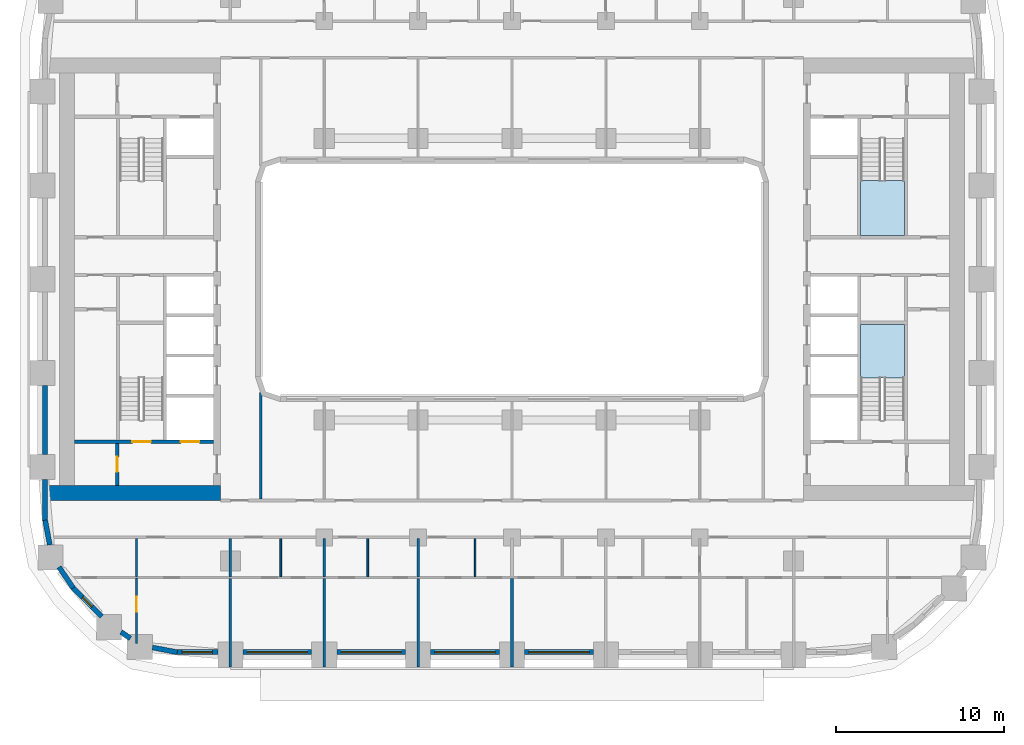
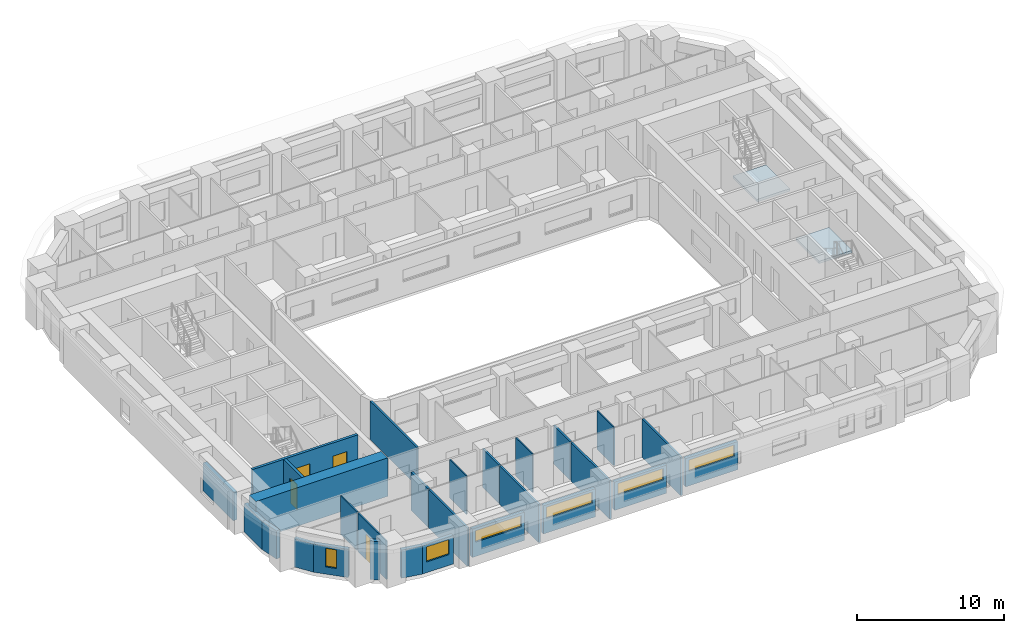
# One storey, part 2 of 20: 28 walls, 6 windows, 4 doors, 2 slabs, 10 openings, 2 elements without a shape of their own.
"""IFC4 building model written with IfcOpenShell, lengths in metres."""

import ifcopenshell
import ifcopenshell.guid

model = None  # the IFC model being written
_history = None  # IfcOwnerHistory: only IFC2X3 demands one
_inside = {}  # id of a spatial element -> (the spatial element, [elements in it])
_under = {}  # id of a project, library or spatial element -> (it, [spatial elements below it])
_declared = {}  # id of a project -> (the project, [libraries it declares])
_typed = {}  # id of a type object -> (the type object, [elements of that type])
_made_of = {}  # id of a material, layer set ... -> (it, [elements and type objects made of it])


def new_model(schema):
    """Start an empty IFC model of exactly this schema.

    Asked for "IFC4X3", IfcOpenShell would pick the latest addendum, in which some entities
    have other attributes; the version numbers below select the first issue.
    IFC2X3 requires an IfcOwnerHistory on every rooted entity: one is made here for all.
    """
    global model, _history
    if schema == "IFC4X3":
        model = ifcopenshell.file(schema_version=(4, 3, 0, 0))
    else:
        model = ifcopenshell.file(schema=schema)
    _inside.clear()
    _under.clear()
    _declared.clear()
    _typed.clear()
    _made_of.clear()
    _history = None
    if model.schema == "IFC2X3":
        org = make("IfcOrganization", Name="unknown")
        user = make(
            "IfcPersonAndOrganization",
            ThePerson=make("IfcPerson", FamilyName="unknown"),
            TheOrganization=org,
        )
        app = make(
            "IfcApplication",
            ApplicationDeveloper=org,
            Version="unknown",
            ApplicationFullName="unknown",
            ApplicationIdentifier="unknown",
        )
        _history = make(
            "IfcOwnerHistory",
            OwningUser=user,
            OwningApplication=app,
            ChangeAction="ADDED",
            CreationDate=0,
        )
    return model


def make(cls, **values):
    """One entity of the class cls with the attributes given. An attribute that is None is left unset."""
    return model.create_entity(
        cls, **{name: value for name, value in values.items() if value is not None}
    )


def rooted(cls, **values):
    """An entity with a GlobalId (a new one), such as an element, a storey or a relation."""
    return make(cls, GlobalId=ifcopenshell.guid.new(), OwnerHistory=_history, **values)


def si_unit(unit_type, name, prefix=None):
    """IfcSIUnit, for example si_unit("LENGTHUNIT", "METRE", prefix="MILLI")."""
    return make("IfcSIUnit", UnitType=unit_type, Prefix=prefix, Name=name)


def assignment(units):
    """IfcUnitAssignment: the units of a project."""
    return None if units is None else make("IfcUnitAssignment", Units=units)


def point(xyz):
    """IfcCartesianPoint."""
    return None if xyz is None else make("IfcCartesianPoint", Coordinates=xyz)


def direction(xyz):
    """IfcDirection."""
    return None if xyz is None else make("IfcDirection", DirectionRatios=xyz)


def frame(location, z_axis=None, x_axis=None):
    """IfcAxis2Placement3D, a coordinate frame: its origin and axes. An axis left out is left unset."""
    return make(
        "IfcAxis2Placement3D",
        Location=point(location),
        Axis=direction(z_axis),
        RefDirection=direction(x_axis),
    )


def frame_2d(location, x_axis=None):
    """IfcAxis2Placement2D, a coordinate frame in the plane: its origin and x axis."""
    return make(
        "IfcAxis2Placement2D", Location=point(location), RefDirection=direction(x_axis)
    )


def origin():
    """The frame at (0, 0, 0) with its axes left unset."""
    return frame((0.0, 0.0, 0.0))


def place(relative_to, where):
    """IfcLocalPlacement: puts the frame where relative to a parent placement (None: the world)."""
    return make(
        "IfcLocalPlacement", PlacementRelTo=relative_to, RelativePlacement=where
    )


def context(
    kind, dimensions, precision=None, world=None, true_north=None, identifier=None
):
    """IfcGeometricRepresentationContext, for example the 3D "Model" context."""
    return make(
        "IfcGeometricRepresentationContext",
        ContextIdentifier=identifier,
        ContextType=kind,
        CoordinateSpaceDimension=dimensions,
        Precision=precision,
        WorldCoordinateSystem=world,
        TrueNorth=true_north,
    )


def subcontext(parent, identifier, kind, view, scale=None):
    """IfcGeometricRepresentationSubContext, for example "Body" below "Model"."""
    return make(
        "IfcGeometricRepresentationSubContext",
        ContextIdentifier=identifier,
        ContextType=kind,
        ParentContext=parent,
        TargetScale=scale,
        TargetView=view,
    )


def project(units=None, contexts=None):
    """IfcProject with its units and contexts."""
    return rooted(
        "IfcProject",
        Name="project",
        RepresentationContexts=contexts,
        UnitsInContext=assignment(units),
    )


def spatial(cls, under=None, at=None, **own):
    """A site, building, storey or space (cls), placed at a placement, below another one or the project."""
    s = rooted(cls, ObjectPlacement=at, **own)
    if under is not None:
        _under.setdefault(under.id(), (under, []))[1].append(s)
    return s


def polyline(points):
    """IfcPolyline through the points."""
    return make("IfcPolyline", Points=[point(p) for p in points])


def profile(cls, at=None, kind="AREA", **sizes):
    """A parametric profile (cls). Its sizes go by their IFC names, for example OverallWidth=200.0."""
    return make(cls, ProfileType=kind, Position=at, **sizes)


def rectangle(**sizes):
    """IfcRectangleProfileDef."""
    return profile("IfcRectangleProfileDef", **sizes)


def outline(outer, holes=None, kind="AREA"):
    """IfcArbitraryClosedProfileDef: a profile drawn as a closed curve; with holes, ...WithVoids."""
    if holes is None:
        return make("IfcArbitraryClosedProfileDef", ProfileType=kind, OuterCurve=outer)
    return make(
        "IfcArbitraryProfileDefWithVoids",
        ProfileType=kind,
        OuterCurve=outer,
        InnerCurves=holes,
    )


def extrude(swept, where, along, depth):
    """IfcExtrudedAreaSolid: the profile swept, set in the frame where, extruded along a direction by depth."""
    return make(
        "IfcExtrudedAreaSolid",
        SweptArea=swept,
        Position=where,
        ExtrudedDirection=direction(along),
        Depth=depth,
    )


def shape(context_of_items, identifier, shape_type, items):
    """IfcShapeRepresentation: the items that make up one representation, for example the "Body"."""
    return make(
        "IfcShapeRepresentation",
        ContextOfItems=context_of_items,
        RepresentationIdentifier=identifier,
        RepresentationType=shape_type,
        Items=items,
    )


def material(Name=None, Category=None):
    """IfcMaterial."""
    return make("IfcMaterial", Name=Name, Category=Category)


def layer(
    of_material, thickness, ventilated=None, Name=None, Category=None, Priority=None
):
    """IfcMaterialLayer: one layer of a wall or slab, of a material (None: an air gap)."""
    return make(
        "IfcMaterialLayer",
        Material=of_material,
        LayerThickness=thickness,
        IsVentilated=ventilated,
        Name=Name,
        Category=Category,
        Priority=Priority,
    )


def layer_set(layers, Name=None):
    """IfcMaterialLayerSet."""
    return make("IfcMaterialLayerSet", MaterialLayers=layers, LayerSetName=Name)


def made_of(thing, what):
    """Note that an element or type object is made of a material, layer set ...; save() writes the relation."""
    if what is not None:
        _made_of.setdefault(what.id(), (what, []))[1].append(thing)
    return thing


def type_object(cls, material=None, **own):
    """A type object (cls), such as IfcWallType, which elements share."""
    return made_of(rooted(cls, **own), material)


def element(
    cls,
    number,
    at=None,
    inside=None,
    cuts=None,
    type_object=None,
    material=None,
    context=None,
    identifier="Body",
    shape_type=None,
    held_by="IfcProductDefinitionShape",
    body=None,
    shapes=None,
    **own,
):
    """One element of the class cls, such as IfcWall. Its Tag is "e" and its number.

    at: its placement. inside: the storey or other place that contains it. cuts: it is an
    opening in that element (IfcRelVoidsElement). A single representation is given by context,
    identifier, shape_type and body (its items); several are given by shapes. held_by: the class
    of the entity that holds the representations. save() writes the other relations.
    """
    e = rooted(cls, Tag="e%d" % number, ObjectPlacement=at, **own)
    if body is not None:
        shapes = [shape(context, identifier, shape_type, body)]
    if shapes is not None:
        e.Representation = make(held_by, Representations=shapes)
    if inside is not None:
        _inside.setdefault(inside.id(), (inside, []))[1].append(e)
    if cuts is not None:
        rooted(
            "IfcRelVoidsElement", RelatingBuildingElement=cuts, RelatedOpeningElement=e
        )
    if type_object is not None:
        _typed.setdefault(type_object.id(), (type_object, []))[1].append(e)
    return made_of(e, material)


def fill(opening, filler):
    """IfcRelFillsElement: the door or window that sits in an opening."""
    return rooted(
        "IfcRelFillsElement",
        RelatingOpeningElement=opening,
        RelatedBuildingElement=filler,
    )


def aggregate(whole, parts):
    """IfcRelAggregates: a whole, such as a stair, and the parts it consists of."""
    return rooted("IfcRelAggregates", RelatingObject=whole, RelatedObjects=parts)


def save(model, path):
    """Write the relations noted so far, then the file.

    IfcRelAggregates (storeys below a building ...), IfcRelContainedInSpatialStructure (elements
    in a storey), IfcRelDefinesByType, IfcRelAssociatesMaterial and IfcRelDeclares: one each for
    every whole, place, type object, material and project.
    """
    for whole, parts in _under.values():
        aggregate(whole, parts)
    for where, things in _inside.values():
        rooted(
            "IfcRelContainedInSpatialStructure",
            RelatedElements=things,
            RelatingStructure=where,
        )
    for kind, things in _typed.values():
        rooted("IfcRelDefinesByType", RelatedObjects=things, RelatingType=kind)
    for what, things in _made_of.values():
        rooted("IfcRelAssociatesMaterial", RelatedObjects=things, RelatingMaterial=what)
    for by, libraries in _declared.values():
        rooted("IfcRelDeclares", RelatingContext=by, RelatedDefinitions=libraries)
    model.write(path)


model = new_model("IFC4")

# Units and contexts
model_context = context("Model", 3, precision=1e-05, world=origin(), true_north=direction((0.0, 1.0)))
body_context = subcontext(model_context, "Body", "Model", "MODEL_VIEW")
ifc_project = project(units=[si_unit("LENGTHUNIT", "METRE"), si_unit("AREAUNIT", "SQUARE_METRE"), si_unit("VOLUMEUNIT", "CUBIC_METRE"), si_unit("PLANEANGLEUNIT", "RADIAN"), si_unit("MASSUNIT", "GRAM", prefix="KILO")], contexts=[model_context])

# Site, building, storey
site_placement = place(None, origin())
site = spatial("IfcSite", under=ifc_project, at=site_placement, CompositionType="ELEMENT")
building_placement = place(site_placement, origin())
building = spatial("IfcBuilding", under=site, at=building_placement, Name="Kiln Ring Residences", CompositionType="ELEMENT")
storey_placement = place(building_placement, frame((0.0, 0.0, 37.5)))
storey = spatial("IfcBuildingStorey", under=building, at=storey_placement, Name="L08", CompositionType="ELEMENT", Elevation=37.5)

# Stair, slab
ifc_material_1 = material(Name="Concrete C40/50", Category="concrete")
stair_type = type_object("IfcStairType", Name="CORE-STAIR", PredefinedType="HALF_TURN_STAIR", material=ifc_material_1)
placement_1 = place(storey_placement, origin())
stair_1 = element("IfcStair", 1, at=placement_1, inside=storey, type_object=stair_type, Name="L08 stair E-STN", PredefinedType="HALF_TURN_STAIR")
ifc_material_2 = material(Name="Concrete C40/50", Category="concrete")
ifc_layer_1 = layer(ifc_material_2, 0.199951171875)
ifc_layer_set_1 = layer_set([ifc_layer_1], Name="CORE-STAIR-LANDING")
slab_type = type_object("IfcSlabType", Name="CORE-STAIR-LANDING", PredefinedType="LANDING", material=ifc_layer_set_1)
placement_2 = place(storey_placement, frame((0.0, 0.0, 1.550048828125)))
slab_1 = element("IfcSlab", 2, at=placement_2, type_object=slab_type, Name="E-STN landing 1", PredefinedType="LANDING", context=body_context, shape_type="SweptSolid", body=[
    extrude(outline(polyline([(20.800048828125, 5.8798828125), (20.800048828125, 2.60009765625), (23.39990234375, 2.60009765625), (23.39990234375, 5.8798828125), (20.800048828125, 5.8798828125)])), origin(), (0.0, 0.0, 1.0), 0.199951171875),
])
aggregate(stair_1, [slab_1])

stair_2 = element("IfcStair", 3, at=placement_1, inside=storey, type_object=stair_type, Name="L08 stair E-STS", PredefinedType="HALF_TURN_STAIR")
slab_2 = element("IfcSlab", 4, at=placement_2, type_object=slab_type, Name="E-STS landing 1", PredefinedType="LANDING", context=body_context, shape_type="SweptSolid", body=[
    extrude(outline(polyline([(23.39990234375, -5.8798828125), (23.39990234375, -2.699951171875), (20.800048828125, -2.699951171875), (20.800048828125, -5.8798828125), (23.39990234375, -5.8798828125)])), origin(), (0.0, 0.0, 1.0), 0.199951171875),
])
aggregate(stair_2, [slab_2])

# Wall, opening, door
ifc_material_3 = material(Name="Gypsum board on steel studs", Category="steel")
ifc_layer_2 = layer(ifc_material_3, 0.199951171875)
ifc_layer_set_2 = layer_set([ifc_layer_2], Name="CORE-PARTITION-200")
wall_type_1 = type_object("IfcWallType", Name="CORE-PARTITION-200", PredefinedType="PARTITIONING", material=ifc_layer_set_2)
wall_1_placement = place(storey_placement, frame((-23.550048828125, -12.300048828125, 0.0), z_axis=(0.0, 0.0, 1.0), x_axis=(0.0, 1.0, 0.0)))
wall_1 = element("IfcWall", 5, at=wall_1_placement, inside=storey, type_object=wall_type_1, Name="Core partition west L08 4", PredefinedType="PARTITIONING", context=body_context, shape_type="SweptSolid", body=[
    extrude(rectangle(XDim=2.5, YDim=0.199951171875, at=frame_2d((1.25, 0.0))), origin(), (0.0, 0.0, 1.0), 3.199951171875),
])
opening_1_placement = place(wall_1_placement, frame((0.800048828125, 0.0, 0.0)))
opening_1 = element("IfcOpeningElement", 6, at=opening_1_placement, cuts=wall_1, Name="Opening L08-CW10", PredefinedType="OPENING", context=body_context, shape_type="SweptSolid", body=[
    extrude(rectangle(XDim=0.89990234375, YDim=2.10009765625, at=frame_2d((0.449951171875, 1.050048828125))), frame((0.0, 0.10986328125, 0.0), z_axis=(0.0, -1.0, 0.0), x_axis=(1.0, 0.0, 0.0)), (0.0, 0.0, 1.0), 0.219970703125),
])
ifc_material_4 = material(Name="Steel door leaf", Category="steel")
door_type_1 = type_object("IfcDoorType", Name="CORE-DOOR-ROOM", OperationType="SINGLE_SWING_LEFT", PredefinedType="DOOR", material=ifc_material_4)
door_1_placement = place(opening_1_placement, origin())
door_1 = element("IfcDoor", 7, at=door_1_placement, inside=storey, type_object=door_type_1, Name="Store L08-CW10", OperationType="SINGLE_SWING_RIGHT", OverallHeight=2.10009765625, OverallWidth=0.89990234375, PredefinedType="DOOR", context=body_context, shape_type="SweptSolid", body=[
    extrude(rectangle(XDim=0.89990234375, YDim=2.10009765625, at=frame_2d((0.449951171875, 1.050048828125))), frame((0.0, 0.02490234375, 0.0), z_axis=(0.0, -1.0, 0.0), x_axis=(1.0, 0.0, 0.0)), (0.0, 0.0, 1.0), 0.050048828125),
])
fill(opening_1, door_1)

# Wall, openings, doors
ifc_material_5 = material(Name="Concrete C40/50", Category="concrete")
ifc_layer_3 = layer(ifc_material_5, 0.199951171875)
ifc_layer_set_3 = layer_set([ifc_layer_3], Name="CORE-WALL-RC200")
wall_type_2 = type_object("IfcWallType", Name="CORE-WALL-RC200", PredefinedType="SHEAR", material=ifc_layer_set_3)
wall_2_placement = place(storey_placement, frame((-17.800048828125, -9.699951171875, 0.0), z_axis=(0.0, 0.0, 1.0), x_axis=(-1.0, 0.0, 0.0)))
wall_2 = element("IfcWall", 8, at=wall_2_placement, inside=storey, type_object=wall_type_2, Name="Core wall west L08 8", PredefinedType="SHEAR", context=body_context, shape_type="SweptSolid", body=[
    extrude(rectangle(XDim=8.300048828125, YDim=0.199951171875, at=frame_2d((4.14990234375, 0.0))), origin(), (0.0, 0.0, 1.0), 3.199951171875),
])
opening_2_placement = place(wall_2_placement, frame((0.85009765625, 0.0, 0.0)))
opening_2 = element("IfcOpeningElement", 9, at=opening_2_placement, cuts=wall_2, Name="Opening L08-CW01", PredefinedType="OPENING", context=body_context, shape_type="SweptSolid", body=[
    extrude(rectangle(XDim=1.10009765625, YDim=2.10009765625, at=frame_2d((0.550048828125, 1.050048828125))), frame((0.0, 0.10986328125, 0.0), z_axis=(0.0, -1.0, 0.0), x_axis=(1.0, 0.0, 0.0)), (0.0, 0.0, 1.0), 0.219970703125),
])
opening_3_placement = place(wall_2_placement, frame((3.75, 0.0, 0.0)))
opening_3 = element("IfcOpeningElement", 10, at=opening_3_placement, cuts=wall_2, Name="Opening L08-CW12", PredefinedType="OPENING", context=body_context, shape_type="SweptSolid", body=[
    extrude(rectangle(XDim=1.10009765625, YDim=2.10009765625, at=frame_2d((0.550048828125, 1.050048828125))), frame((0.0, 0.10986328125, 0.0), z_axis=(0.0, -1.0, 0.0), x_axis=(1.0, 0.0, 0.0)), (0.0, 0.0, 1.0), 0.219970703125),
])
ifc_material_6 = material(Name="Steel door leaf", Category="steel")
door_type_2 = type_object("IfcDoorType", Name="CORE-DOOR-LD", OperationType="DOUBLE_DOOR_SLIDING", PredefinedType="DOOR", material=ifc_material_6)
door_2_placement = place(opening_2_placement, origin())
door_2 = element("IfcDoor", 11, at=door_2_placement, inside=storey, type_object=door_type_2, Name="LD W-SV L08-CW01", OperationType="DOUBLE_DOOR_SLIDING", OverallHeight=2.10009765625, OverallWidth=1.10009765625, PredefinedType="DOOR", context=body_context, shape_type="SweptSolid", body=[
    extrude(rectangle(XDim=1.10009765625, YDim=2.10009765625, at=frame_2d((0.550048828125, 1.050048828125))), frame((0.0, 0.02490234375, 0.0), z_axis=(0.0, -1.0, 0.0), x_axis=(1.0, 0.0, 0.0)), (0.0, 0.0, 1.0), 0.050048828125),
])
fill(opening_2, door_2)
ifc_material_7 = material(Name="Steel door leaf", Category="steel")
door_type_3 = type_object("IfcDoorType", Name="CORE-DOOR-STAIR", OperationType="SINGLE_SWING_LEFT", PredefinedType="DOOR", material=ifc_material_7)
door_3_placement = place(opening_3_placement, origin())
door_3 = element("IfcDoor", 12, at=door_3_placement, inside=storey, type_object=door_type_3, Name="Stair W-STS L08-CW12", OperationType="SINGLE_SWING_LEFT", OverallHeight=2.10009765625, OverallWidth=1.10009765625, PredefinedType="DOOR", context=body_context, shape_type="SweptSolid", body=[
    extrude(rectangle(XDim=1.10009765625, YDim=2.10009765625, at=frame_2d((0.550048828125, 1.050048828125))), frame((0.0, 0.02490234375, 0.0), z_axis=(0.0, -1.0, 0.0), x_axis=(1.0, 0.0, 0.0)), (0.0, 0.0, 1.0), 0.050048828125),
])
fill(opening_3, door_3)

# Wall
ifc_material_8 = material(Name="Concrete C60/75", Category="concrete")
ifc_layer_4 = layer(ifc_material_8, 0.89990234375)
ifc_layer_set_4 = layer_set([ifc_layer_4], Name="CORE-WALL-RC900")
wall_type_3 = type_object("IfcWallType", Name="CORE-WALL-RC900", PredefinedType="SHEAR", material=ifc_layer_set_4)
wall_3_placement = place(storey_placement, frame((-17.39990234375, -12.75, 0.0), z_axis=(0.0, 0.0, 1.0), x_axis=(-1.0, 0.0, 0.0)))
element("IfcWall", 13, at=wall_3_placement, inside=storey, type_object=wall_type_3, Name="Core wall west L08 5", PredefinedType="SHEAR", context=body_context, shape_type="SweptSolid", body=[
    extrude(rectangle(XDim=10.400146484375, YDim=0.89990234375, at=frame_2d((5.2001953125, 0.0))), origin(), (0.0, 0.0, 1.0), 3.199951171875),
])

# Wall, opening, window
ifc_material_9 = material(Name="Brick masonry, dark clay brick", Category="masonry")
ifc_layer_5 = layer(ifc_material_9, 0.300048828125)
ifc_layer_set_5 = layer_set([ifc_layer_5], Name="EW-300 BRICK WALL")
wall_type_4 = type_object("IfcWallType", Name="EW-300 BRICK WALL", PredefinedType="SOLIDWALL", material=ifc_layer_set_5)
wall_4_placement = place(storey_placement, frame((-26.19677734375, -18.390869140625, 0.0), z_axis=(0.0, 0.0, 1.0), x_axis=(0.707106781187, -0.707106781187, 0.0)))
wall_4 = element("IfcWall", 14, at=wall_4_placement, inside=storey, type_object=wall_type_4, Name="Facade wall L08 1", PredefinedType="SOLIDWALL", context=body_context, shape_type="SweptSolid", body=[
    extrude(rectangle(XDim=2.449951171875, YDim=0.300048828125, at=frame_2d((1.22509765625, 0.0))), origin(), (0.0, 0.0, 1.0), 2.35009765625),
])
opening_4_placement = place(wall_4_placement, frame((0.824951171875, 0.0, 0.60009765625)))
opening_4 = element("IfcOpeningElement", 15, at=opening_4_placement, cuts=wall_4, Name="Opening W5", PredefinedType="OPENING", context=body_context, shape_type="SweptSolid", body=[
    extrude(rectangle(XDim=0.800048828125, YDim=1.550048828125, at=frame_2d((0.39990234375, 0.77490234375))), frame((0.0, 0.159912109375, 0.0), z_axis=(0.0, -1.0, 0.0), x_axis=(1.0, 0.0, 0.0)), (0.0, 0.0, 1.0), 0.320068359375),
])
ifc_material_10 = material(Name="Aluminium frame with double glazing", Category="aluminium")
window_type_1 = type_object("IfcWindowType", Name="WINDOW 800 x 1550", PartitioningType="SINGLE_PANEL", PredefinedType="WINDOW", material=ifc_material_10)
window_1_placement = place(opening_4_placement, origin())
window_1 = element("IfcWindow", 16, at=window_1_placement, inside=storey, type_object=window_type_1, Name="Window L08 1", OverallHeight=1.550048828125, OverallWidth=0.800048828125, PartitioningType="SINGLE_PANEL", PredefinedType="WINDOW", context=body_context, shape_type="SweptSolid", body=[
    extrude(rectangle(XDim=0.800048828125, YDim=1.550048828125, at=frame_2d((0.39990234375, 0.77490234375))), frame((0.0, 0.030029296875, 0.0), z_axis=(0.0, -1.0, 0.0), x_axis=(1.0, 0.0, 0.0)), (0.0, 0.0, 1.0), 0.06005859375),
])
fill(opening_4, window_1)

# Walls
wall_5_placement = place(storey_placement, frame((-23.3271484375, -21.044921875, 0.0), z_axis=(0.0, 0.0, 1.0), x_axis=(0.827080706709, -0.562083182981, 0.0)))
element("IfcWall", 17, at=wall_5_placement, inside=storey, type_object=wall_type_4, Name="Facade wall L08 2", PredefinedType="SOLIDWALL", context=body_context, shape_type="SweptSolid", body=[
    extrude(rectangle(XDim=0.67724609375, YDim=0.300048828125, at=frame_2d((0.338623046875, 0.0))), origin(), (0.0, 0.0, 1.0), 3.199951171875),
])
wall_6_placement = place(storey_placement, frame((-21.451416015625, -21.970458984375, 0.0), z_axis=(0.0, 0.0, 1.0), x_axis=(0.982287454367, -0.187380247071, 0.0)))
element("IfcWall", 18, at=wall_6_placement, inside=storey, type_object=wall_type_4, Name="Facade wall L08 3", PredefinedType="SOLIDWALL", context=body_context, shape_type="SweptSolid", body=[
    extrude(rectangle(XDim=1.506103515625, YDim=0.300048828125, at=frame_2d((0.7529296875, 0.0))), origin(), (0.0, 0.0, 1.0), 2.35009765625),
])

# Wall, opening, window
wall_7_placement = place(storey_placement, frame((-20.0, -22.25, 0.0), z_axis=(0.0, 0.0, 1.0), x_axis=(1.0, 0.0, 0.0)))
wall_7 = element("IfcWall", 19, at=wall_7_placement, inside=storey, type_object=wall_type_4, Name="Facade wall L08 4", PredefinedType="SOLIDWALL", context=body_context, shape_type="SweptSolid", body=[
    extrude(rectangle(XDim=2.449951171875, YDim=0.300048828125, at=frame_2d((1.22509765625, 0.0))), origin(), (0.0, 0.0, 1.0), 2.35009765625),
])
opening_5_placement = place(wall_7_placement, frame((0.324951171875, 0.0, 0.89990234375)))
opening_5 = element("IfcOpeningElement", 20, at=opening_5_placement, cuts=wall_7, Name="Opening W2", PredefinedType="OPENING", context=body_context, shape_type="SweptSolid", body=[
    extrude(rectangle(XDim=1.800048828125, YDim=1.25, at=frame_2d((0.89990234375, 0.625))), frame((0.0, 0.159912109375, 0.0), z_axis=(0.0, -1.0, 0.0), x_axis=(1.0, 0.0, 0.0)), (0.0, 0.0, 1.0), 0.320068359375),
])
ifc_material_11 = material(Name="Aluminium frame with double glazing", Category="aluminium")
window_type_2 = type_object("IfcWindowType", Name="WINDOW 1800 x 1250", PartitioningType="SINGLE_PANEL", PredefinedType="WINDOW", material=ifc_material_11)
window_2_placement = place(opening_5_placement, origin())
window_2 = element("IfcWindow", 21, at=window_2_placement, inside=storey, type_object=window_type_2, Name="Window L08 2", OverallHeight=1.25, OverallWidth=1.800048828125, PartitioningType="SINGLE_PANEL", PredefinedType="WINDOW", context=body_context, shape_type="SweptSolid", body=[
    extrude(rectangle(XDim=1.800048828125, YDim=1.25, at=frame_2d((0.89990234375, 0.625))), frame((0.0, 0.030029296875, 0.0), z_axis=(0.0, -1.0, 0.0), x_axis=(1.0, 0.0, 0.0)), (0.0, 0.0, 1.0), 0.06005859375),
])
fill(opening_5, window_2)

wall_8_placement = place(storey_placement, frame((-16.050048828125, -22.25, 0.0), z_axis=(0.0, 0.0, 1.0), x_axis=(1.0, 0.0, 0.0)))
wall_8 = element("IfcWall", 22, at=wall_8_placement, inside=storey, type_object=wall_type_4, Name="Facade wall L08 5", PredefinedType="SOLIDWALL", context=body_context, shape_type="SweptSolid", body=[
    extrude(rectangle(XDim=4.10009765625, YDim=0.300048828125, at=frame_2d((2.050048828125, 0.0))), origin(), (0.0, 0.0, 1.0), 2.35009765625),
])
opening_6_placement = place(wall_8_placement, frame((0.25, 0.0, 1.199951171875)))
opening_6 = element("IfcOpeningElement", 23, at=opening_6_placement, cuts=wall_8, Name="Opening W4", PredefinedType="OPENING", context=body_context, shape_type="SweptSolid", body=[
    extrude(rectangle(XDim=3.60009765625, YDim=0.949951171875, at=frame_2d((1.800048828125, 0.47509765625))), frame((0.0, 0.159912109375, 0.0), z_axis=(0.0, -1.0, 0.0), x_axis=(1.0, 0.0, 0.0)), (0.0, 0.0, 1.0), 0.320068359375),
])
ifc_material_12 = material(Name="Aluminium frame with double glazing", Category="aluminium")
window_type_3 = type_object("IfcWindowType", Name="WINDOW 3600 x 950", PartitioningType="SINGLE_PANEL", PredefinedType="WINDOW", material=ifc_material_12)
window_3_placement = place(opening_6_placement, origin())
window_3 = element("IfcWindow", 24, at=window_3_placement, inside=storey, type_object=window_type_3, Name="Window L08 3", OverallHeight=0.949951171875, OverallWidth=3.60009765625, PartitioningType="SINGLE_PANEL", PredefinedType="WINDOW", context=body_context, shape_type="SweptSolid", body=[
    extrude(rectangle(XDim=3.60009765625, YDim=0.949951171875, at=frame_2d((1.800048828125, 0.47509765625))), frame((0.0, 0.030029296875, 0.0), z_axis=(0.0, -1.0, 0.0), x_axis=(1.0, 0.0, 0.0)), (0.0, 0.0, 1.0), 0.06005859375),
])
fill(opening_6, window_3)

wall_9_placement = place(storey_placement, frame((-10.449951171875, -22.25, 0.0), z_axis=(0.0, 0.0, 1.0), x_axis=(1.0, 0.0, 0.0)))
wall_9 = element("IfcWall", 25, at=wall_9_placement, inside=storey, type_object=wall_type_4, Name="Facade wall L08 6", PredefinedType="SOLIDWALL", context=body_context, shape_type="SweptSolid", body=[
    extrude(rectangle(XDim=4.099853515625, YDim=0.300048828125, at=frame_2d((2.0498046875, 0.0))), origin(), (0.0, 0.0, 1.0), 2.35009765625),
])
opening_7_placement = place(wall_9_placement, frame((0.25, 0.0, 1.199951171875)))
opening_7 = element("IfcOpeningElement", 26, at=opening_7_placement, cuts=wall_9, Name="Opening W4", PredefinedType="OPENING", context=body_context, shape_type="SweptSolid", body=[
    extrude(rectangle(XDim=3.60009765625, YDim=0.949951171875, at=frame_2d((1.800048828125, 0.47509765625))), frame((0.0, 0.159912109375, 0.0), z_axis=(0.0, -1.0, 0.0), x_axis=(1.0, 0.0, 0.0)), (0.0, 0.0, 1.0), 0.320068359375),
])
window_4_placement = place(opening_7_placement, origin())
window_4 = element("IfcWindow", 27, at=window_4_placement, inside=storey, type_object=window_type_3, Name="Window L08 4", OverallHeight=0.949951171875, OverallWidth=3.60009765625, PartitioningType="SINGLE_PANEL", PredefinedType="WINDOW", context=body_context, shape_type="SweptSolid", body=[
    extrude(rectangle(XDim=3.60009765625, YDim=0.949951171875, at=frame_2d((1.800048828125, 0.47509765625))), frame((0.0, 0.030029296875, 0.0), z_axis=(0.0, -1.0, 0.0), x_axis=(1.0, 0.0, 0.0)), (0.0, 0.0, 1.0), 0.06005859375),
])
fill(opening_7, window_4)

wall_10_placement = place(storey_placement, frame((-4.85009765625, -22.25, 0.0), z_axis=(0.0, 0.0, 1.0), x_axis=(1.0, 0.0, 0.0)))
wall_10 = element("IfcWall", 28, at=wall_10_placement, inside=storey, type_object=wall_type_4, Name="Facade wall L08 7", PredefinedType="SOLIDWALL", context=body_context, shape_type="SweptSolid", body=[
    extrude(rectangle(XDim=4.10009765625, YDim=0.300048828125, at=frame_2d((2.050048828125, 0.0))), origin(), (0.0, 0.0, 1.0), 2.35009765625),
])
opening_8_placement = place(wall_10_placement, frame((0.25, 0.0, 1.199951171875)))
opening_8 = element("IfcOpeningElement", 29, at=opening_8_placement, cuts=wall_10, Name="Opening W4", PredefinedType="OPENING", context=body_context, shape_type="SweptSolid", body=[
    extrude(rectangle(XDim=3.60009765625, YDim=0.949951171875, at=frame_2d((1.800048828125, 0.47509765625))), frame((0.0, 0.159912109375, 0.0), z_axis=(0.0, -1.0, 0.0), x_axis=(1.0, 0.0, 0.0)), (0.0, 0.0, 1.0), 0.320068359375),
])
window_5_placement = place(opening_8_placement, origin())
window_5 = element("IfcWindow", 30, at=window_5_placement, inside=storey, type_object=window_type_3, Name="Window L08 5", OverallHeight=0.949951171875, OverallWidth=3.60009765625, PartitioningType="SINGLE_PANEL", PredefinedType="WINDOW", context=body_context, shape_type="SweptSolid", body=[
    extrude(rectangle(XDim=3.60009765625, YDim=0.949951171875, at=frame_2d((1.800048828125, 0.47509765625))), frame((0.0, 0.030029296875, 0.0), z_axis=(0.0, -1.0, 0.0), x_axis=(1.0, 0.0, 0.0)), (0.0, 0.0, 1.0), 0.06005859375),
])
fill(opening_8, window_5)

wall_11_placement = place(storey_placement, frame((0.75, -22.25, 0.0), z_axis=(0.0, 0.0, 1.0), x_axis=(1.0, 0.0, 0.0)))
wall_11 = element("IfcWall", 31, at=wall_11_placement, inside=storey, type_object=wall_type_4, Name="Facade wall L08 8", PredefinedType="SOLIDWALL", context=body_context, shape_type="SweptSolid", body=[
    extrude(rectangle(XDim=4.10009765625, YDim=0.300048828125, at=frame_2d((2.050048828125, 0.0))), origin(), (0.0, 0.0, 1.0), 2.35009765625),
])
opening_9_placement = place(wall_11_placement, frame((0.25, 0.0, 1.199951171875)))
opening_9 = element("IfcOpeningElement", 32, at=opening_9_placement, cuts=wall_11, Name="Opening W4", PredefinedType="OPENING", context=body_context, shape_type="SweptSolid", body=[
    extrude(rectangle(XDim=3.60009765625, YDim=0.949951171875, at=frame_2d((1.800048828125, 0.47509765625))), frame((0.0, 0.159912109375, 0.0), z_axis=(0.0, -1.0, 0.0), x_axis=(1.0, 0.0, 0.0)), (0.0, 0.0, 1.0), 0.320068359375),
])
window_6_placement = place(opening_9_placement, origin())
window_6 = element("IfcWindow", 33, at=window_6_placement, inside=storey, type_object=window_type_3, Name="Window L08 6", OverallHeight=0.949951171875, OverallWidth=3.60009765625, PartitioningType="SINGLE_PANEL", PredefinedType="WINDOW", context=body_context, shape_type="SweptSolid", body=[
    extrude(rectangle(XDim=3.60009765625, YDim=0.949951171875, at=frame_2d((1.800048828125, 0.47509765625))), frame((0.0, 0.030029296875, 0.0), z_axis=(0.0, -1.0, 0.0), x_axis=(1.0, 0.0, 0.0)), (0.0, 0.0, 1.0), 0.06005859375),
])
fill(opening_9, window_6)

# Walls
wall_12_placement = place(storey_placement, frame((-27.85009765625, -6.35009765625, 0.0), z_axis=(0.0, 0.0, 1.0), x_axis=(0.0, -1.0, 0.0)))
element("IfcWall", 34, at=wall_12_placement, inside=storey, type_object=wall_type_4, Name="Facade wall L08 45", PredefinedType="SOLIDWALL", context=body_context, shape_type="SweptSolid", body=[
    extrude(rectangle(XDim=4.099853515625, YDim=0.300048828125, at=frame_2d((2.0498046875, 0.0))), origin(), (0.0, 0.0, 1.0), 2.35009765625),
])
wall_13_placement = place(storey_placement, frame((-27.85009765625, -11.949951171875, 0.0), z_axis=(0.0, 0.0, 1.0), x_axis=(0.0, -1.0, 0.0)))
element("IfcWall", 35, at=wall_13_placement, inside=storey, type_object=wall_type_4, Name="Facade wall L08 46", PredefinedType="SOLIDWALL", context=body_context, shape_type="SweptSolid", body=[
    extrude(rectangle(XDim=2.449951171875, YDim=0.300048828125, at=frame_2d((1.22509765625, 0.0))), origin(), (0.0, 0.0, 1.0), 2.35009765625),
])
for number, where, z_axis, x_axis, name in (
    (36, (-27.8525390625, -14.371826171875, 0.0), (0.0, 0.0, 1.0), (0.187223837635, -0.982317277982, 0.0), "Facade wall L08 47"),
    (37, (-27.025390625, -17.1669921875, 0.0), (0.0, 0.0, 1.0), (0.561973021955, -0.827155561303, 0.0), "Facade wall L08 48"),
):
    element("IfcWall", number, at=place(storey_placement, frame(where, z_axis=z_axis, x_axis=x_axis)), inside=storey, type_object=wall_type_4, Name=name, PredefinedType="SOLIDWALL", context=body_context, shape_type="SweptSolid", body=[
        extrude(rectangle(XDim=1.506103515625, YDim=0.300048828125, at=frame_2d((0.7529296875, 0.0))), origin(), (0.0, 0.0, 1.0), 2.35009765625),
    ])

# Wall, opening, door
ifc_material_13 = material(Name="Gypsum board on steel studs", Category="steel")
ifc_layer_6 = layer(ifc_material_13, 0.10009765625)
ifc_layer_set_6 = layer_set([ifc_layer_6], Name="PARTITION-100")
wall_type_5 = type_object("IfcWallType", Name="PARTITION-100", PredefinedType="PARTITIONING", material=ifc_layer_set_6)
wall_14_placement = place(storey_placement, frame((-22.39990234375, -21.719970703125, 0.0), z_axis=(0.0, 0.0, 1.0), x_axis=(0.0, 1.0, 0.0)))
wall_14 = element("IfcWall", 38, at=wall_14_placement, inside=storey, type_object=wall_type_5, Name="Partition 006", PredefinedType="PARTITIONING", context=body_context, shape_type="SweptSolid", body=[
    extrude(rectangle(XDim=3.869873046875, YDim=0.10009765625, at=frame_2d((1.93505859375, 0.0))), origin(), (0.0, 0.0, 1.0), 3.199951171875),
])
opening_10_placement = place(wall_14_placement, frame((1.8701171875, 0.0, 0.0)))
opening_10 = element("IfcOpeningElement", 39, at=opening_10_placement, cuts=wall_14, Name="Opening L08-D046", PredefinedType="OPENING", context=body_context, shape_type="SweptSolid", body=[
    extrude(rectangle(XDim=0.89990234375, YDim=2.10009765625, at=frame_2d((0.449951171875, 1.050048828125))), frame((0.0, 0.06005859375, 0.0), z_axis=(0.0, -1.0, 0.0), x_axis=(1.0, 0.0, 0.0)), (0.0, 0.0, 1.0), 0.1201171875),
])
ifc_material_14 = material(Name="Timber door leaf", Category="wood")
door_type_4 = type_object("IfcDoorType", Name="FLAT-DOOR-900-PL", OperationType="SINGLE_SWING_LEFT", PredefinedType="DOOR", material=ifc_material_14)
door_4_placement = place(opening_10_placement, origin())
door_4 = element("IfcDoor", 40, at=door_4_placement, inside=storey, type_object=door_type_4, Name="Door L08-D046", OperationType="SINGLE_SWING_LEFT", OverallHeight=2.10009765625, OverallWidth=0.89990234375, PredefinedType="DOOR", context=body_context, shape_type="SweptSolid", body=[
    extrude(rectangle(XDim=0.89990234375, YDim=2.10009765625, at=frame_2d((0.449951171875, 1.050048828125))), frame((0.0, 0.02490234375, 0.0), z_axis=(0.0, -1.0, 0.0), x_axis=(1.0, 0.0, 0.0)), (0.0, 0.0, 1.0), 0.050048828125),
])
fill(opening_10, door_4)

# Walls
for number, where, z_axis, x_axis, name in (
    (41, (-22.39990234375, -17.75, 0.0), (0.0, 0.0, 1.0), (0.0, 1.0, 0.0), "Partition 007"),
    (42, (-13.800048828125, -17.75, 0.0), (0.0, 0.0, 1.0), (0.0, 1.0, 0.0), "Partition 017"),
    (43, (-8.60009765625, -17.75, 0.0), (0.0, 0.0, 1.0), (0.0, 1.0, 0.0), "Partition 024"),
    (44, (-2.199951171875, -17.75, 0.0), (0.0, 0.0, 1.0), (0.0, 1.0, 0.0), "Partition 032"),
):
    element("IfcWall", number, at=place(storey_placement, frame(where, z_axis=z_axis, x_axis=x_axis)), inside=storey, type_object=wall_type_5, Name=name, PredefinedType="PARTITIONING", context=body_context, shape_type="SweptSolid", body=[
        extrude(rectangle(XDim=2.27490234375, YDim=0.10009765625, at=frame_2d((1.137451171875, 0.0))), origin(), (0.0, 0.0, 1.0), 3.199951171875),
    ])
ifc_material_15 = material(Name="Brick masonry partition", Category="masonry")
ifc_layer_7 = layer(ifc_material_15, 0.14990234375)
ifc_layer_set_7 = layer_set([ifc_layer_7], Name="PARTITION-150-ei60")
wall_type_6 = type_object("IfcWallType", Name="PARTITION-150-ei60", PredefinedType="PARTITIONING", material=ifc_layer_set_7)
wall_15_placement = place(storey_placement, frame((-16.800048828125, -23.1298828125, 0.0), z_axis=(0.0, 0.0, 1.0), x_axis=(0.0, 1.0, 0.0)))
element("IfcWall", 45, at=wall_15_placement, inside=storey, type_object=wall_type_6, Name="Partition 010", PredefinedType="PARTITIONING", context=body_context, shape_type="SweptSolid", body=[
    extrude(rectangle(XDim=5.27978515625, YDim=0.14990234375, at=frame_2d((2.639892578125, 0.0))), origin(), (0.0, 0.0, 1.0), 3.199951171875),
])
wall_16_placement = place(storey_placement, frame((-16.800048828125, -17.75, 0.0), z_axis=(0.0, 0.0, 1.0), x_axis=(0.0, 1.0, 0.0)))
element("IfcWall", 46, at=wall_16_placement, inside=storey, type_object=wall_type_6, Name="Partition 011", PredefinedType="PARTITIONING", context=body_context, shape_type="SweptSolid", body=[
    extrude(rectangle(XDim=2.27490234375, YDim=0.14990234375, at=frame_2d((1.137451171875, 0.0))), origin(), (0.0, 0.0, 1.0), 3.199951171875),
])
wall_17_placement = place(storey_placement, frame((-15.0, -13.125, 0.0), z_axis=(0.0, 0.0, 1.0), x_axis=(0.0, 1.0, 0.0)))
element("IfcWall", 47, at=wall_17_placement, inside=storey, type_object=wall_type_6, Name="Partition 014", PredefinedType="PARTITIONING", context=body_context, shape_type="SweptSolid", body=[
    extrude(rectangle(XDim=6.356201171875, YDim=0.14990234375, at=frame_2d((3.17822265625, 0.0))), origin(), (0.0, 0.0, 1.0), 3.199951171875),
])
wall_18_placement = place(storey_placement, frame((-11.199951171875, -23.1298828125, 0.0), z_axis=(0.0, 0.0, 1.0), x_axis=(0.0, 1.0, 0.0)))
element("IfcWall", 48, at=wall_18_placement, inside=storey, type_object=wall_type_6, Name="Partition 022", PredefinedType="PARTITIONING", context=body_context, shape_type="SweptSolid", body=[
    extrude(rectangle(XDim=5.27978515625, YDim=0.14990234375, at=frame_2d((2.639892578125, 0.0))), origin(), (0.0, 0.0, 1.0), 3.199951171875),
])
wall_19_placement = place(storey_placement, frame((-11.199951171875, -17.75, 0.0), z_axis=(0.0, 0.0, 1.0), x_axis=(0.0, 1.0, 0.0)))
element("IfcWall", 49, at=wall_19_placement, inside=storey, type_object=wall_type_6, Name="Partition 023", PredefinedType="PARTITIONING", context=body_context, shape_type="SweptSolid", body=[
    extrude(rectangle(XDim=2.27490234375, YDim=0.14990234375, at=frame_2d((1.137451171875, 0.0))), origin(), (0.0, 0.0, 1.0), 3.199951171875),
])
wall_20_placement = place(storey_placement, frame((-5.60009765625, -23.1298828125, 0.0), z_axis=(0.0, 0.0, 1.0), x_axis=(0.0, 1.0, 0.0)))
element("IfcWall", 50, at=wall_20_placement, inside=storey, type_object=wall_type_6, Name="Partition 028", PredefinedType="PARTITIONING", context=body_context, shape_type="SweptSolid", body=[
    extrude(rectangle(XDim=5.27978515625, YDim=0.14990234375, at=frame_2d((2.639892578125, 0.0))), origin(), (0.0, 0.0, 1.0), 3.199951171875),
])
wall_21_placement = place(storey_placement, frame((-5.60009765625, -17.75, 0.0), z_axis=(0.0, 0.0, 1.0), x_axis=(0.0, 1.0, 0.0)))
element("IfcWall", 51, at=wall_21_placement, inside=storey, type_object=wall_type_6, Name="Partition 029", PredefinedType="PARTITIONING", context=body_context, shape_type="SweptSolid", body=[
    extrude(rectangle(XDim=2.27490234375, YDim=0.14990234375, at=frame_2d((1.137451171875, 0.0))), origin(), (0.0, 0.0, 1.0), 3.199951171875),
])
wall_22_placement = place(storey_placement, frame((0.0, -23.1298828125, 0.0), z_axis=(0.0, 0.0, 1.0), x_axis=(0.0, 1.0, 0.0)))
element("IfcWall", 52, at=wall_22_placement, inside=storey, type_object=wall_type_6, Name="Partition 036", PredefinedType="PARTITIONING", context=body_context, shape_type="SweptSolid", body=[
    extrude(rectangle(XDim=5.27978515625, YDim=0.14990234375, at=frame_2d((2.639892578125, 0.0))), origin(), (0.0, 0.0, 1.0), 3.199951171875),
])

save(model, "model.ifc")
